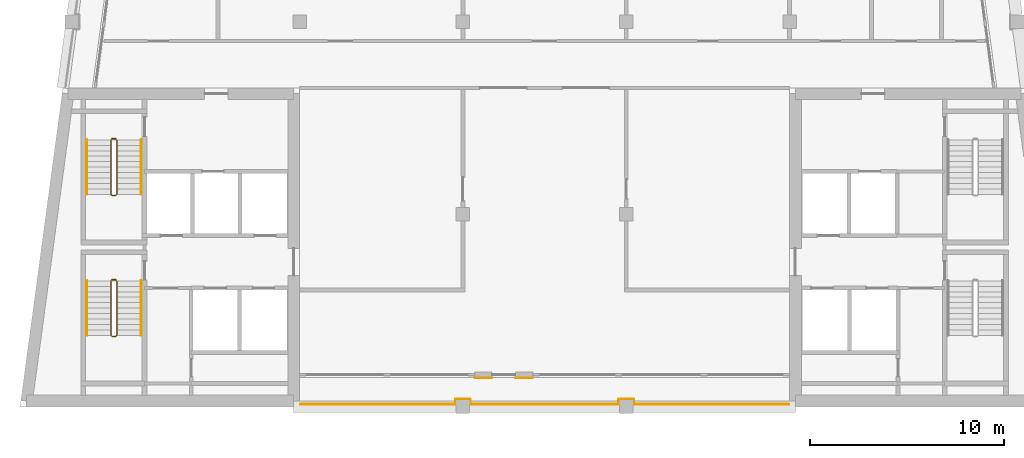
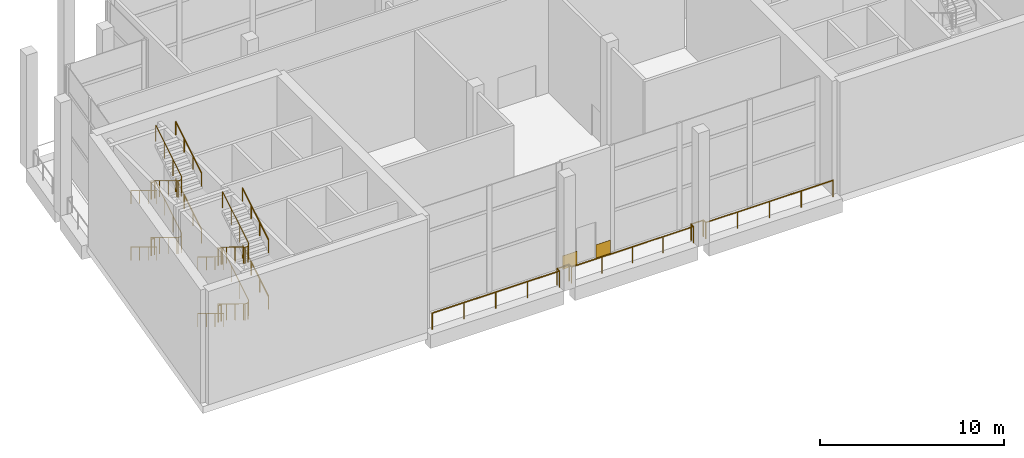
# One storey, part 7 of 9: 17 railings, 2 coverings.
"""IFC4 building model written with IfcOpenShell, lengths in metres."""

from ifc_helpers import new_model, si_unit, direction, frame, origin, origin_2d, place, context, subcontext, project, spatial, rectangle, circle, extrude, material, layer, layer_set, type_object, element, save


model = new_model("IFC4")

# Units and contexts
model_context = context("Model", 3, precision=1e-05, world=origin(), true_north=direction((0.0, 1.0)))
body_context = subcontext(model_context, "Body", "Model", "MODEL_VIEW")
ifc_project = project(units=[si_unit("LENGTHUNIT", "METRE"), si_unit("AREAUNIT", "SQUARE_METRE"), si_unit("VOLUMEUNIT", "CUBIC_METRE"), si_unit("PLANEANGLEUNIT", "RADIAN"), si_unit("MASSUNIT", "GRAM", prefix="KILO")], contexts=[model_context])

# Site, building, storey
site_placement = place(None, origin())
site = spatial("IfcSite", under=ifc_project, at=site_placement, CompositionType="ELEMENT")
building_placement = place(site_placement, origin())
building = spatial("IfcBuilding", under=site, at=building_placement, Name="Candeia Pilgrim Tower and Theatre", CompositionType="ELEMENT")
storey_placement = place(building_placement, frame((0.0, 0.0, 307.89990234375)))
storey = spatial("IfcBuildingStorey", under=building, at=storey_placement, Name="L75", CompositionType="ELEMENT", Elevation=307.89990234375)

# Railing
ifc_material_1 = material(Name="Stainless steel balustrade", Category="steel")
railing_type_1 = type_object("IfcRailingType", Name="G1 loggia guard 1100", PredefinedType="GUARDRAIL", material=ifc_material_1)
railing_1_placement = place(storey_placement, frame((125.949951171875, 116.1201171875, 0.0)))
element("IfcRailing", 1, at=railing_1_placement, inside=storey, type_object=railing_type_1, Name="Guard L75.2", PredefinedType="GUARDRAIL", context=body_context, shape_type="SweptSolid", body=[
    extrude(circle(Radius=0.02392578125, at=origin_2d()), frame((0.0, 0.0, 1.076171875), z_axis=(-1.0, 0.0, 0.0), x_axis=(0.0, -1.0, 0.0)), (0.0, 0.0, 1.0), 7.969970703125),
    extrude(circle(Radius=0.02392578125, at=origin_2d()), frame((-7.969970703125, 0.0, 1.076171875), z_axis=(0.0, 1.0, 0.0), x_axis=(-1.0, 0.0, 0.0)), (0.0, 0.0, 1.0), 0.259765625),
    extrude(circle(Radius=0.02392578125, at=origin_2d()), frame((-7.969970703125, 0.259765625, 1.076171875), z_axis=(-1.0, 0.0, 0.0), x_axis=(0.0, -1.0, 0.0)), (0.0, 0.0, 1.0), 0.760009765625),
    extrude(circle(Radius=0.02392578125, at=origin_2d()), frame((-8.72998046875, 0.259765625, 1.076171875), z_axis=(0.0, -1.0, 0.0), x_axis=(1.0, 0.0, 0.0)), (0.0, 0.0, 1.0), 0.259765625),
    extrude(circle(Radius=0.02392578125, at=origin_2d()), frame((-8.72998046875, 0.0, 1.076171875), z_axis=(-1.0, 0.0, 0.0), x_axis=(0.0, -1.0, 0.0)), (0.0, 0.0, 1.0), 7.639892578125),
    extrude(circle(Radius=0.02392578125, at=origin_2d()), frame((-16.369873046875, 0.0, 1.076171875), z_axis=(0.0, 1.0, 0.0), x_axis=(-1.0, 0.0, 0.0)), (0.0, 0.0, 1.0), 0.259765625),
    extrude(circle(Radius=0.02392578125, at=origin_2d()), frame((-16.369873046875, 0.259765625, 1.076171875), z_axis=(-1.0, 0.0, 0.0), x_axis=(0.0, -1.0, 0.0)), (0.0, 0.0, 1.0), 0.760009765625),
    extrude(circle(Radius=0.02392578125, at=origin_2d()), frame((-17.1298828125, 0.259765625, 1.076171875), z_axis=(0.0, -1.0, 0.0), x_axis=(1.0, 0.0, 0.0)), (0.0, 0.0, 1.0), 0.259765625),
    extrude(circle(Radius=0.02392578125, at=origin_2d()), frame((-17.1298828125, 0.0, 1.076171875), z_axis=(-1.0, 0.0, 0.0), x_axis=(0.0, -1.0, 0.0)), (0.0, 0.0, 1.0), 7.969970703125),
    extrude(circle(Radius=0.02099609375, at=origin_2d()), origin(), (0.0, 0.0, 1.0), 1.052001953125),
    extrude(circle(Radius=0.02099609375, at=origin_2d()), frame((-1.992431640625, 0.0, 0.0)), (0.0, 0.0, 1.0), 1.052001953125),
    extrude(circle(Radius=0.02099609375, at=origin_2d()), frame((-3.98486328125, 0.0, 0.0)), (0.0, 0.0, 1.0), 1.052001953125),
    extrude(circle(Radius=0.02099609375, at=origin_2d()), frame((-5.9775390625, 0.0, 0.0)), (0.0, 0.0, 1.0), 1.052001953125),
    extrude(circle(Radius=0.02099609375, at=origin_2d()), frame((-7.969970703125, 0.0, 0.0)), (0.0, 0.0, 1.0), 1.052001953125),
    extrude(circle(Radius=0.02099609375, at=origin_2d()), frame((-7.969970703125, 0.259765625, 0.0)), (0.0, 0.0, 1.0), 1.052001953125),
    extrude(circle(Radius=0.02099609375, at=origin_2d()), frame((-8.72998046875, 0.259765625, 0.0)), (0.0, 0.0, 1.0), 1.052001953125),
    extrude(circle(Radius=0.02099609375, at=origin_2d()), frame((-8.72998046875, 0.0, 0.0)), (0.0, 0.0, 1.0), 1.052001953125),
    extrude(circle(Radius=0.02099609375, at=origin_2d()), frame((-10.639892578125, 0.0, 0.0)), (0.0, 0.0, 1.0), 1.052001953125),
    extrude(circle(Radius=0.02099609375, at=origin_2d()), frame((-12.5498046875, 0.0, 0.0)), (0.0, 0.0, 1.0), 1.052001953125),
    extrude(circle(Radius=0.02099609375, at=origin_2d()), frame((-14.4599609375, 0.0, 0.0)), (0.0, 0.0, 1.0), 1.052001953125),
    extrude(circle(Radius=0.02099609375, at=origin_2d()), frame((-16.369873046875, 0.0, 0.0)), (0.0, 0.0, 1.0), 1.052001953125),
    extrude(circle(Radius=0.02099609375, at=origin_2d()), frame((-16.369873046875, 0.259765625, 0.0)), (0.0, 0.0, 1.0), 1.052001953125),
    extrude(circle(Radius=0.02099609375, at=origin_2d()), frame((-17.1298828125, 0.259765625, 0.0)), (0.0, 0.0, 1.0), 1.052001953125),
    extrude(circle(Radius=0.02099609375, at=origin_2d()), frame((-17.1298828125, 0.0, 0.0)), (0.0, 0.0, 1.0), 1.052001953125),
    extrude(circle(Radius=0.02099609375, at=origin_2d()), frame((-19.122314453125, 0.0, 0.0)), (0.0, 0.0, 1.0), 1.052001953125),
    extrude(circle(Radius=0.02099609375, at=origin_2d()), frame((-21.11474609375, 0.0, 0.0)), (0.0, 0.0, 1.0), 1.052001953125),
    extrude(circle(Radius=0.02099609375, at=origin_2d()), frame((-23.107421875, 0.0, 0.0)), (0.0, 0.0, 1.0), 1.052001953125),
    extrude(circle(Radius=0.02099609375, at=origin_2d()), frame((-25.099853515625, 0.0, 0.0)), (0.0, 0.0, 1.0), 1.052001953125),
])

# Coverings
ifc_material_2 = material(Name="Glazed ceramic tile rust")
ifc_layer = layer(ifc_material_2, 0.02001953125)
ifc_layer_set = layer_set([ifc_layer], Name="Glazed ceramic tile rust")
covering_type = type_object("IfcCoveringType", Name="Glazed ceramic tile rust", PredefinedType="CLADDING", material=ifc_layer_set)
for number, where, z_axis, x_axis, name in (
    (2, (110.25, 117.489990234375, 0.000244140625), (0.0, 0.0, 1.0), (1.0, 0.0, 0.0), "Tile cladding rust L75"),
    (3, (112.35009765625, 117.489990234375, 0.000244140625), (0.0, 0.0, 1.0), (1.0, 0.0, 0.0), "Tile cladding rust L75"),
):
    element("IfcCovering", number, at=place(storey_placement, frame(where, z_axis=z_axis, x_axis=x_axis)), inside=storey, type_object=covering_type, Name=name, PredefinedType="CLADDING", context=body_context, shape_type="SweptSolid", body=[
        extrude(rectangle(XDim=0.89990234375, YDim=0.02001953125, at=origin_2d()), origin(), (0.0, 0.0, 1.0), 0.89990234375),
    ])

# Railings
railing_type_2 = type_object("IfcRailingType", Name="RL-GUARD-1100", PredefinedType="GUARDRAIL", material=ifc_material_1)
railing_2_placement = place(storey_placement, frame((91.10205078125, 122.47509765625, 0.170654296875)))
element("IfcRailing", 4, at=railing_2_placement, inside=storey, type_object=railing_type_2, Name="L75 ST1 stair guard 1", PredefinedType="GUARDRAIL", context=body_context, shape_type="SweptSolid", body=[
    extrude(circle(Radius=0.02392578125, at=origin_2d()), frame((0.0, 0.0, 1.076171875), z_axis=(0.0, -0.854202870247, 0.519939858505), x_axis=(1.0, 0.0, 0.0)), (0.0, 0.0, 1.0), 3.278076171875),
    extrude(circle(Radius=0.02392578125, at=origin_2d()), frame((0.0, -2.800048828125, 2.7802734375), z_axis=(0.707106781187, -0.707106781187, 0.0), x_axis=(0.707106781187, 0.707106781187, 0.0)), (0.0, 0.0, 1.0), 0.07080078125),
    extrude(circle(Radius=0.02392578125, at=origin_2d()), frame((0.050048828125, -2.85009765625, 2.7802734375), z_axis=(1.0, 0.0, 0.0), x_axis=(0.0, 1.0, 0.0)), (0.0, 0.0, 1.0), 0.199951171875),
    extrude(circle(Radius=0.02392578125, at=origin_2d()), frame((0.25, -2.85009765625, 2.7802734375), z_axis=(0.270899902878, 0.270899902878, 0.923702595667), x_axis=(-0.707106781187, 0.707106781187, 0.0)), (0.0, 0.0, 1.0), 0.184814453125),
    extrude(circle(Radius=0.02392578125, at=origin_2d()), frame((0.300048828125, -2.800048828125, 2.951171875), z_axis=(0.0, 0.854202870247, 0.519939858505), x_axis=(-1.0, 0.0, 0.0)), (0.0, 0.0, 1.0), 3.278076171875),
    extrude(circle(Radius=0.02099609375, at=origin_2d()), origin(), (0.0, 0.0, 1.0), 1.052001953125),
    extrude(circle(Radius=0.02099609375, at=origin_2d()), frame((0.0, -0.933349609375, 0.568115234375)), (0.0, 0.0, 1.0), 1.052001953125),
    extrude(circle(Radius=0.02099609375, at=origin_2d()), frame((0.0, -1.86669921875, 1.13623046875)), (0.0, 0.0, 1.0), 1.052001953125),
    extrude(circle(Radius=0.02099609375, at=origin_2d()), frame((0.0, -2.800048828125, 1.704345703125)), (0.0, 0.0, 1.0), 1.052001953125),
    extrude(circle(Radius=0.02099609375, at=origin_2d()), frame((0.050048828125, -2.85009765625, 1.704345703125)), (0.0, 0.0, 1.0), 1.052001953125),
    extrude(circle(Radius=0.02099609375, at=origin_2d()), frame((0.25, -2.85009765625, 1.704345703125)), (0.0, 0.0, 1.0), 1.052001953125),
    extrude(circle(Radius=0.02099609375, at=origin_2d()), frame((0.300048828125, -2.800048828125, 1.875)), (0.0, 0.0, 1.0), 1.052001953125),
    extrude(circle(Radius=0.02099609375, at=origin_2d()), frame((0.300048828125, -1.86669921875, 2.443115234375)), (0.0, 0.0, 1.0), 1.052001953125),
    extrude(circle(Radius=0.02099609375, at=origin_2d()), frame((0.300048828125, -0.933349609375, 3.01123046875)), (0.0, 0.0, 1.0), 1.052001953125),
    extrude(circle(Radius=0.02099609375, at=origin_2d()), frame((0.300048828125, 0.0, 3.579345703125)), (0.0, 0.0, 1.0), 1.052001953125),
])
railing_3_placement = place(storey_placement, frame((91.152099609375, 122.52490234375, 3.75)))
element("IfcRailing", 5, at=railing_3_placement, inside=storey, type_object=railing_type_2, Name="L75 ST1 stair guard 2", PredefinedType="GUARDRAIL", context=body_context, shape_type="SweptSolid", body=[
    extrude(circle(Radius=0.02392578125, at=origin_2d()), frame((0.0, 0.0, 1.076171875), z_axis=(1.0, 0.0, 0.0), x_axis=(0.0, 1.0, 0.0)), (0.0, 0.0, 1.0), 0.199951171875),
    extrude(circle(Radius=0.02099609375, at=origin_2d()), origin(), (0.0, 0.0, 1.0), 1.052001953125),
    extrude(circle(Radius=0.02099609375, at=origin_2d()), frame((0.199951171875, 0.0, 0.0)), (0.0, 0.0, 1.0), 1.052001953125),
])
railing_4_placement = place(storey_placement, frame((91.10205078125, 122.47509765625, 3.920654296875)))
element("IfcRailing", 6, at=railing_4_placement, inside=storey, type_object=railing_type_2, Name="L75 ST1 stair guard 3", PredefinedType="GUARDRAIL", context=body_context, shape_type="SweptSolid", body=[
    extrude(circle(Radius=0.02392578125, at=origin_2d()), frame((0.0, 0.0, 1.076171875), z_axis=(0.0, -0.854202870247, 0.519939858505), x_axis=(1.0, 0.0, 0.0)), (0.0, 0.0, 1.0), 3.278076171875),
    extrude(circle(Radius=0.02392578125, at=origin_2d()), frame((0.0, -2.800048828125, 2.7802734375), z_axis=(0.707106781187, -0.707106781187, 0.0), x_axis=(0.707106781187, 0.707106781187, 0.0)), (0.0, 0.0, 1.0), 0.07080078125),
    extrude(circle(Radius=0.02392578125, at=origin_2d()), frame((0.050048828125, -2.85009765625, 2.7802734375), z_axis=(1.0, 0.0, 0.0), x_axis=(0.0, 1.0, 0.0)), (0.0, 0.0, 1.0), 0.199951171875),
    extrude(circle(Radius=0.02392578125, at=origin_2d()), frame((0.25, -2.85009765625, 2.7802734375), z_axis=(0.270899902878, 0.270899902878, 0.923702595667), x_axis=(-0.707106781187, 0.707106781187, 0.0)), (0.0, 0.0, 1.0), 0.184814453125),
    extrude(circle(Radius=0.02392578125, at=origin_2d()), frame((0.300048828125, -2.800048828125, 2.951171875), z_axis=(0.0, 0.854202870247, 0.519939858505), x_axis=(-1.0, 0.0, 0.0)), (0.0, 0.0, 1.0), 3.278076171875),
    extrude(circle(Radius=0.02099609375, at=origin_2d()), origin(), (0.0, 0.0, 1.0), 1.052001953125),
    extrude(circle(Radius=0.02099609375, at=origin_2d()), frame((0.0, -0.933349609375, 0.568115234375)), (0.0, 0.0, 1.0), 1.052001953125),
    extrude(circle(Radius=0.02099609375, at=origin_2d()), frame((0.0, -1.86669921875, 1.13623046875)), (0.0, 0.0, 1.0), 1.052001953125),
    extrude(circle(Radius=0.02099609375, at=origin_2d()), frame((0.0, -2.800048828125, 1.704345703125)), (0.0, 0.0, 1.0), 1.052001953125),
    extrude(circle(Radius=0.02099609375, at=origin_2d()), frame((0.050048828125, -2.85009765625, 1.704345703125)), (0.0, 0.0, 1.0), 1.052001953125),
    extrude(circle(Radius=0.02099609375, at=origin_2d()), frame((0.25, -2.85009765625, 1.704345703125)), (0.0, 0.0, 1.0), 1.052001953125),
    extrude(circle(Radius=0.02099609375, at=origin_2d()), frame((0.300048828125, -2.800048828125, 1.875)), (0.0, 0.0, 1.0), 1.052001953125),
    extrude(circle(Radius=0.02099609375, at=origin_2d()), frame((0.300048828125, -1.86669921875, 2.443115234375)), (0.0, 0.0, 1.0), 1.052001953125),
    extrude(circle(Radius=0.02099609375, at=origin_2d()), frame((0.300048828125, -0.933349609375, 3.01123046875)), (0.0, 0.0, 1.0), 1.052001953125),
    extrude(circle(Radius=0.02099609375, at=origin_2d()), frame((0.300048828125, 0.0, 3.579345703125)), (0.0, 0.0, 1.0), 1.052001953125),
])
railing_5_placement = place(storey_placement, frame((91.152099609375, 122.52490234375, 0.0)))
element("IfcRailing", 7, at=railing_5_placement, inside=storey, type_object=railing_type_2, Name="L75 ST1 stair guard 4", PredefinedType="GUARDRAIL", context=body_context, shape_type="SweptSolid", body=[
    extrude(circle(Radius=0.02392578125, at=origin_2d()), frame((0.0, 0.0, 1.076171875), z_axis=(1.0, 0.0, 0.0), x_axis=(0.0, 1.0, 0.0)), (0.0, 0.0, 1.0), 0.199951171875),
    extrude(circle(Radius=0.02099609375, at=origin_2d()), origin(), (0.0, 0.0, 1.0), 1.052001953125),
    extrude(circle(Radius=0.02099609375, at=origin_2d()), frame((0.199951171875, 0.0, 0.0)), (0.0, 0.0, 1.0), 1.052001953125),
])
railing_6_placement = place(storey_placement, frame((91.10205078125, 129.72509765625, 0.170654296875)))
element("IfcRailing", 8, at=railing_6_placement, inside=storey, type_object=railing_type_2, Name="L75 ST2 stair guard 1", PredefinedType="GUARDRAIL", context=body_context, shape_type="SweptSolid", body=[
    extrude(circle(Radius=0.02392578125, at=origin_2d()), frame((0.0, 0.0, 1.076171875), z_axis=(0.0, -0.854202870247, 0.519939858505), x_axis=(1.0, 0.0, 0.0)), (0.0, 0.0, 1.0), 3.278076171875),
    extrude(circle(Radius=0.02392578125, at=origin_2d()), frame((0.0, -2.800048828125, 2.7802734375), z_axis=(0.707106781187, -0.707106781187, 0.0), x_axis=(0.707106781187, 0.707106781187, 0.0)), (0.0, 0.0, 1.0), 0.07080078125),
    extrude(circle(Radius=0.02392578125, at=origin_2d()), frame((0.050048828125, -2.85009765625, 2.7802734375), z_axis=(1.0, 0.0, 0.0), x_axis=(0.0, 1.0, 0.0)), (0.0, 0.0, 1.0), 0.199951171875),
    extrude(circle(Radius=0.02392578125, at=origin_2d()), frame((0.25, -2.85009765625, 2.7802734375), z_axis=(0.270899902878, 0.270899902878, 0.923702595667), x_axis=(-0.707106781187, 0.707106781187, 0.0)), (0.0, 0.0, 1.0), 0.184814453125),
    extrude(circle(Radius=0.02392578125, at=origin_2d()), frame((0.300048828125, -2.800048828125, 2.951171875), z_axis=(0.0, 0.854202870247, 0.519939858505), x_axis=(-1.0, 0.0, 0.0)), (0.0, 0.0, 1.0), 3.278076171875),
    extrude(circle(Radius=0.02099609375, at=origin_2d()), origin(), (0.0, 0.0, 1.0), 1.052001953125),
    extrude(circle(Radius=0.02099609375, at=origin_2d()), frame((0.0, -0.933349609375, 0.568115234375)), (0.0, 0.0, 1.0), 1.052001953125),
    extrude(circle(Radius=0.02099609375, at=origin_2d()), frame((0.0, -1.86669921875, 1.13623046875)), (0.0, 0.0, 1.0), 1.052001953125),
    extrude(circle(Radius=0.02099609375, at=origin_2d()), frame((0.0, -2.800048828125, 1.704345703125)), (0.0, 0.0, 1.0), 1.052001953125),
    extrude(circle(Radius=0.02099609375, at=origin_2d()), frame((0.050048828125, -2.85009765625, 1.704345703125)), (0.0, 0.0, 1.0), 1.052001953125),
    extrude(circle(Radius=0.02099609375, at=origin_2d()), frame((0.25, -2.85009765625, 1.704345703125)), (0.0, 0.0, 1.0), 1.052001953125),
    extrude(circle(Radius=0.02099609375, at=origin_2d()), frame((0.300048828125, -2.800048828125, 1.875)), (0.0, 0.0, 1.0), 1.052001953125),
    extrude(circle(Radius=0.02099609375, at=origin_2d()), frame((0.300048828125, -1.86669921875, 2.443115234375)), (0.0, 0.0, 1.0), 1.052001953125),
    extrude(circle(Radius=0.02099609375, at=origin_2d()), frame((0.300048828125, -0.933349609375, 3.01123046875)), (0.0, 0.0, 1.0), 1.052001953125),
    extrude(circle(Radius=0.02099609375, at=origin_2d()), frame((0.300048828125, 0.0, 3.579345703125)), (0.0, 0.0, 1.0), 1.052001953125),
])
railing_7_placement = place(storey_placement, frame((91.152099609375, 129.77490234375, 3.75)))
element("IfcRailing", 9, at=railing_7_placement, inside=storey, type_object=railing_type_2, Name="L75 ST2 stair guard 2", PredefinedType="GUARDRAIL", context=body_context, shape_type="SweptSolid", body=[
    extrude(circle(Radius=0.02392578125, at=origin_2d()), frame((0.0, 0.0, 1.076171875), z_axis=(1.0, 0.0, 0.0), x_axis=(0.0, 1.0, 0.0)), (0.0, 0.0, 1.0), 0.199951171875),
    extrude(circle(Radius=0.02099609375, at=origin_2d()), origin(), (0.0, 0.0, 1.0), 1.052001953125),
    extrude(circle(Radius=0.02099609375, at=origin_2d()), frame((0.199951171875, 0.0, 0.0)), (0.0, 0.0, 1.0), 1.052001953125),
])
railing_8_placement = place(storey_placement, frame((91.10205078125, 129.72509765625, 3.920654296875)))
element("IfcRailing", 10, at=railing_8_placement, inside=storey, type_object=railing_type_2, Name="L75 ST2 stair guard 3", PredefinedType="GUARDRAIL", context=body_context, shape_type="SweptSolid", body=[
    extrude(circle(Radius=0.02392578125, at=origin_2d()), frame((0.0, 0.0, 1.076171875), z_axis=(0.0, -0.854202870247, 0.519939858505), x_axis=(1.0, 0.0, 0.0)), (0.0, 0.0, 1.0), 3.278076171875),
    extrude(circle(Radius=0.02392578125, at=origin_2d()), frame((0.0, -2.800048828125, 2.7802734375), z_axis=(0.707106781187, -0.707106781187, 0.0), x_axis=(0.707106781187, 0.707106781187, 0.0)), (0.0, 0.0, 1.0), 0.07080078125),
    extrude(circle(Radius=0.02392578125, at=origin_2d()), frame((0.050048828125, -2.85009765625, 2.7802734375), z_axis=(1.0, 0.0, 0.0), x_axis=(0.0, 1.0, 0.0)), (0.0, 0.0, 1.0), 0.199951171875),
    extrude(circle(Radius=0.02392578125, at=origin_2d()), frame((0.25, -2.85009765625, 2.7802734375), z_axis=(0.270899902878, 0.270899902878, 0.923702595667), x_axis=(-0.707106781187, 0.707106781187, 0.0)), (0.0, 0.0, 1.0), 0.184814453125),
    extrude(circle(Radius=0.02392578125, at=origin_2d()), frame((0.300048828125, -2.800048828125, 2.951171875), z_axis=(0.0, 0.854202870247, 0.519939858505), x_axis=(-1.0, 0.0, 0.0)), (0.0, 0.0, 1.0), 3.278076171875),
    extrude(circle(Radius=0.02099609375, at=origin_2d()), origin(), (0.0, 0.0, 1.0), 1.052001953125),
    extrude(circle(Radius=0.02099609375, at=origin_2d()), frame((0.0, -0.933349609375, 0.568115234375)), (0.0, 0.0, 1.0), 1.052001953125),
    extrude(circle(Radius=0.02099609375, at=origin_2d()), frame((0.0, -1.86669921875, 1.13623046875)), (0.0, 0.0, 1.0), 1.052001953125),
    extrude(circle(Radius=0.02099609375, at=origin_2d()), frame((0.0, -2.800048828125, 1.704345703125)), (0.0, 0.0, 1.0), 1.052001953125),
    extrude(circle(Radius=0.02099609375, at=origin_2d()), frame((0.050048828125, -2.85009765625, 1.704345703125)), (0.0, 0.0, 1.0), 1.052001953125),
    extrude(circle(Radius=0.02099609375, at=origin_2d()), frame((0.25, -2.85009765625, 1.704345703125)), (0.0, 0.0, 1.0), 1.052001953125),
    extrude(circle(Radius=0.02099609375, at=origin_2d()), frame((0.300048828125, -2.800048828125, 1.875)), (0.0, 0.0, 1.0), 1.052001953125),
    extrude(circle(Radius=0.02099609375, at=origin_2d()), frame((0.300048828125, -1.86669921875, 2.443115234375)), (0.0, 0.0, 1.0), 1.052001953125),
    extrude(circle(Radius=0.02099609375, at=origin_2d()), frame((0.300048828125, -0.933349609375, 3.01123046875)), (0.0, 0.0, 1.0), 1.052001953125),
    extrude(circle(Radius=0.02099609375, at=origin_2d()), frame((0.300048828125, 0.0, 3.579345703125)), (0.0, 0.0, 1.0), 1.052001953125),
])
railing_9_placement = place(storey_placement, frame((91.152099609375, 129.77490234375, 0.0)))
element("IfcRailing", 11, at=railing_9_placement, inside=storey, type_object=railing_type_2, Name="L75 ST2 stair guard 4", PredefinedType="GUARDRAIL", context=body_context, shape_type="SweptSolid", body=[
    extrude(circle(Radius=0.02392578125, at=origin_2d()), frame((0.0, 0.0, 1.076171875), z_axis=(1.0, 0.0, 0.0), x_axis=(0.0, 1.0, 0.0)), (0.0, 0.0, 1.0), 0.199951171875),
    extrude(circle(Radius=0.02099609375, at=origin_2d()), origin(), (0.0, 0.0, 1.0), 1.052001953125),
    extrude(circle(Radius=0.02099609375, at=origin_2d()), frame((0.199951171875, 0.0, 0.0)), (0.0, 0.0, 1.0), 1.052001953125),
])
ifc_material_3 = material(Name="Stainless steel handrail", Category="steel")
railing_type_3 = type_object("IfcRailingType", Name="RL-HANDRAIL-900", PredefinedType="HANDRAIL", material=ifc_material_3)
railing_10_placement = place(storey_placement, frame((89.85205078125, 122.47509765625, 0.170654296875)))
element("IfcRailing", 12, at=railing_10_placement, inside=storey, type_object=railing_type_3, Name="L75 ST1 stair handrail 1", PredefinedType="HANDRAIL", context=body_context, shape_type="SweptSolid", body=[
    extrude(circle(Radius=0.02392578125, at=origin_2d()), frame((0.0, 0.0, 0.8759765625), z_axis=(0.0, -0.854202870247, 0.519939858505), x_axis=(1.0, 0.0, 0.0)), (0.0, 0.0, 1.0), 3.278076171875),
    extrude(circle(Radius=0.02099609375, at=origin_2d()), origin(), (0.0, 0.0, 1.0), 0.851806640625),
    extrude(circle(Radius=0.02099609375, at=origin_2d()), frame((0.0, -0.933349609375, 0.568115234375)), (0.0, 0.0, 1.0), 0.851806640625),
    extrude(circle(Radius=0.02099609375, at=origin_2d()), frame((0.0, -1.86669921875, 1.13623046875)), (0.0, 0.0, 1.0), 0.851806640625),
    extrude(circle(Radius=0.02099609375, at=origin_2d()), frame((0.0, -2.800048828125, 1.704345703125)), (0.0, 0.0, 1.0), 0.851806640625),
])
railing_11_placement = place(storey_placement, frame((92.652099609375, 119.675048828125, 2.045654296875)))
element("IfcRailing", 13, at=railing_11_placement, inside=storey, type_object=railing_type_3, Name="L75 ST1 stair handrail 2", PredefinedType="HANDRAIL", context=body_context, shape_type="SweptSolid", body=[
    extrude(circle(Radius=0.02392578125, at=origin_2d()), frame((0.0, 0.0, 0.8759765625), z_axis=(0.0, 0.854202870247, 0.519939858505), x_axis=(-1.0, 0.0, 0.0)), (0.0, 0.0, 1.0), 3.278076171875),
    extrude(circle(Radius=0.02099609375, at=origin_2d()), origin(), (0.0, 0.0, 1.0), 0.851806640625),
    extrude(circle(Radius=0.02099609375, at=origin_2d()), frame((0.0, 0.933349609375, 0.568115234375)), (0.0, 0.0, 1.0), 0.851806640625),
    extrude(circle(Radius=0.02099609375, at=origin_2d()), frame((0.0, 1.86669921875, 1.13623046875)), (0.0, 0.0, 1.0), 0.851806640625),
    extrude(circle(Radius=0.02099609375, at=origin_2d()), frame((0.0, 2.800048828125, 1.704345703125)), (0.0, 0.0, 1.0), 0.851806640625),
])
railing_12_placement = place(storey_placement, frame((89.85205078125, 122.47509765625, 3.920654296875)))
element("IfcRailing", 14, at=railing_12_placement, inside=storey, type_object=railing_type_3, Name="L75 ST1 stair handrail 3", PredefinedType="HANDRAIL", context=body_context, shape_type="SweptSolid", body=[
    extrude(circle(Radius=0.02392578125, at=origin_2d()), frame((0.0, 0.0, 0.8759765625), z_axis=(0.0, -0.854202870247, 0.519939858505), x_axis=(1.0, 0.0, 0.0)), (0.0, 0.0, 1.0), 3.278076171875),
    extrude(circle(Radius=0.02099609375, at=origin_2d()), origin(), (0.0, 0.0, 1.0), 0.851806640625),
    extrude(circle(Radius=0.02099609375, at=origin_2d()), frame((0.0, -0.933349609375, 0.568115234375)), (0.0, 0.0, 1.0), 0.851806640625),
    extrude(circle(Radius=0.02099609375, at=origin_2d()), frame((0.0, -1.86669921875, 1.13623046875)), (0.0, 0.0, 1.0), 0.851806640625),
    extrude(circle(Radius=0.02099609375, at=origin_2d()), frame((0.0, -2.800048828125, 1.704345703125)), (0.0, 0.0, 1.0), 0.851806640625),
])
railing_13_placement = place(storey_placement, frame((92.652099609375, 119.675048828125, 5.795654296875)))
element("IfcRailing", 15, at=railing_13_placement, inside=storey, type_object=railing_type_3, Name="L75 ST1 stair handrail 4", PredefinedType="HANDRAIL", context=body_context, shape_type="SweptSolid", body=[
    extrude(circle(Radius=0.02392578125, at=origin_2d()), frame((0.0, 0.0, 0.8759765625), z_axis=(0.0, 0.854202870247, 0.519939858505), x_axis=(-1.0, 0.0, 0.0)), (0.0, 0.0, 1.0), 3.278076171875),
    extrude(circle(Radius=0.02099609375, at=origin_2d()), origin(), (0.0, 0.0, 1.0), 0.851806640625),
    extrude(circle(Radius=0.02099609375, at=origin_2d()), frame((0.0, 0.933349609375, 0.568115234375)), (0.0, 0.0, 1.0), 0.851806640625),
    extrude(circle(Radius=0.02099609375, at=origin_2d()), frame((0.0, 1.86669921875, 1.13623046875)), (0.0, 0.0, 1.0), 0.851806640625),
    extrude(circle(Radius=0.02099609375, at=origin_2d()), frame((0.0, 2.800048828125, 1.704345703125)), (0.0, 0.0, 1.0), 0.851806640625),
])
railing_14_placement = place(storey_placement, frame((89.85205078125, 129.72509765625, 0.170654296875)))
element("IfcRailing", 16, at=railing_14_placement, inside=storey, type_object=railing_type_3, Name="L75 ST2 stair handrail 1", PredefinedType="HANDRAIL", context=body_context, shape_type="SweptSolid", body=[
    extrude(circle(Radius=0.02392578125, at=origin_2d()), frame((0.0, 0.0, 0.8759765625), z_axis=(0.0, -0.854202870247, 0.519939858505), x_axis=(1.0, 0.0, 0.0)), (0.0, 0.0, 1.0), 3.278076171875),
    extrude(circle(Radius=0.02099609375, at=origin_2d()), origin(), (0.0, 0.0, 1.0), 0.851806640625),
    extrude(circle(Radius=0.02099609375, at=origin_2d()), frame((0.0, -0.933349609375, 0.568115234375)), (0.0, 0.0, 1.0), 0.851806640625),
    extrude(circle(Radius=0.02099609375, at=origin_2d()), frame((0.0, -1.86669921875, 1.13623046875)), (0.0, 0.0, 1.0), 0.851806640625),
    extrude(circle(Radius=0.02099609375, at=origin_2d()), frame((0.0, -2.800048828125, 1.704345703125)), (0.0, 0.0, 1.0), 0.851806640625),
])
railing_15_placement = place(storey_placement, frame((92.652099609375, 126.925048828125, 2.045654296875)))
element("IfcRailing", 17, at=railing_15_placement, inside=storey, type_object=railing_type_3, Name="L75 ST2 stair handrail 2", PredefinedType="HANDRAIL", context=body_context, shape_type="SweptSolid", body=[
    extrude(circle(Radius=0.02392578125, at=origin_2d()), frame((0.0, 0.0, 0.8759765625), z_axis=(0.0, 0.854202870247, 0.519939858505), x_axis=(-1.0, 0.0, 0.0)), (0.0, 0.0, 1.0), 3.278076171875),
    extrude(circle(Radius=0.02099609375, at=origin_2d()), origin(), (0.0, 0.0, 1.0), 0.851806640625),
    extrude(circle(Radius=0.02099609375, at=origin_2d()), frame((0.0, 0.933349609375, 0.568115234375)), (0.0, 0.0, 1.0), 0.851806640625),
    extrude(circle(Radius=0.02099609375, at=origin_2d()), frame((0.0, 1.86669921875, 1.13623046875)), (0.0, 0.0, 1.0), 0.851806640625),
    extrude(circle(Radius=0.02099609375, at=origin_2d()), frame((0.0, 2.800048828125, 1.704345703125)), (0.0, 0.0, 1.0), 0.851806640625),
])
railing_16_placement = place(storey_placement, frame((89.85205078125, 129.72509765625, 3.920654296875)))
element("IfcRailing", 18, at=railing_16_placement, inside=storey, type_object=railing_type_3, Name="L75 ST2 stair handrail 3", PredefinedType="HANDRAIL", context=body_context, shape_type="SweptSolid", body=[
    extrude(circle(Radius=0.02392578125, at=origin_2d()), frame((0.0, 0.0, 0.8759765625), z_axis=(0.0, -0.854202870247, 0.519939858505), x_axis=(1.0, 0.0, 0.0)), (0.0, 0.0, 1.0), 3.278076171875),
    extrude(circle(Radius=0.02099609375, at=origin_2d()), origin(), (0.0, 0.0, 1.0), 0.851806640625),
    extrude(circle(Radius=0.02099609375, at=origin_2d()), frame((0.0, -0.933349609375, 0.568115234375)), (0.0, 0.0, 1.0), 0.851806640625),
    extrude(circle(Radius=0.02099609375, at=origin_2d()), frame((0.0, -1.86669921875, 1.13623046875)), (0.0, 0.0, 1.0), 0.851806640625),
    extrude(circle(Radius=0.02099609375, at=origin_2d()), frame((0.0, -2.800048828125, 1.704345703125)), (0.0, 0.0, 1.0), 0.851806640625),
])
railing_17_placement = place(storey_placement, frame((92.652099609375, 126.925048828125, 5.795654296875)))
element("IfcRailing", 19, at=railing_17_placement, inside=storey, type_object=railing_type_3, Name="L75 ST2 stair handrail 4", PredefinedType="HANDRAIL", context=body_context, shape_type="SweptSolid", body=[
    extrude(circle(Radius=0.02392578125, at=origin_2d()), frame((0.0, 0.0, 0.8759765625), z_axis=(0.0, 0.854202870247, 0.519939858505), x_axis=(-1.0, 0.0, 0.0)), (0.0, 0.0, 1.0), 3.278076171875),
    extrude(circle(Radius=0.02099609375, at=origin_2d()), origin(), (0.0, 0.0, 1.0), 0.851806640625),
    extrude(circle(Radius=0.02099609375, at=origin_2d()), frame((0.0, 0.933349609375, 0.568115234375)), (0.0, 0.0, 1.0), 0.851806640625),
    extrude(circle(Radius=0.02099609375, at=origin_2d()), frame((0.0, 1.86669921875, 1.13623046875)), (0.0, 0.0, 1.0), 0.851806640625),
    extrude(circle(Radius=0.02099609375, at=origin_2d()), frame((0.0, 2.800048828125, 1.704345703125)), (0.0, 0.0, 1.0), 0.851806640625),
])

save(model, "model.ifc")
